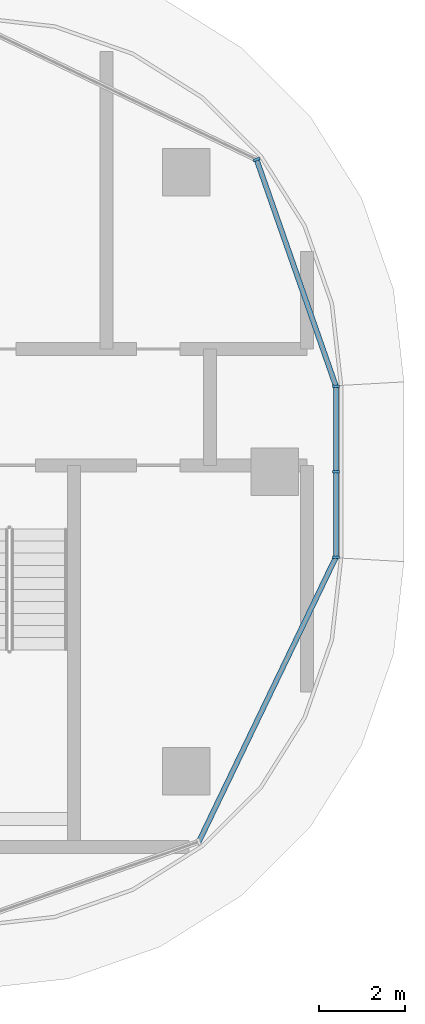
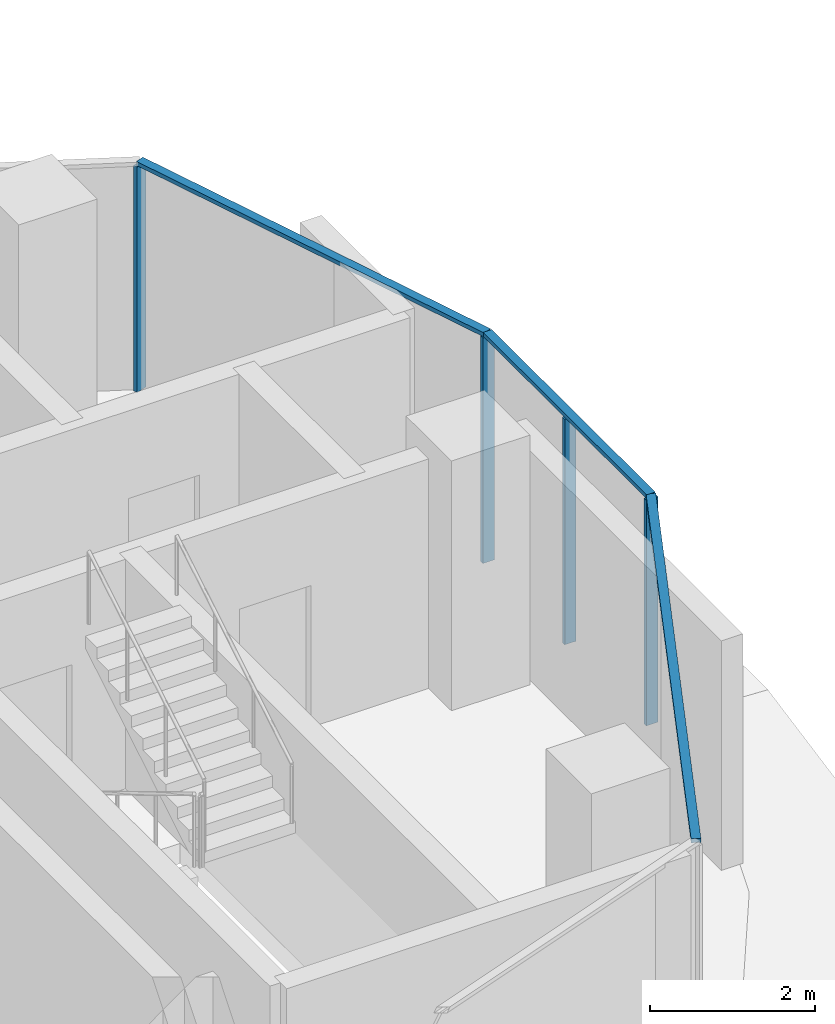
# One storey, part 7 of 24: 7 members, 3 elements without a shape of their own.
"""IFC4 building model written with IfcOpenShell, lengths in metres."""

from ifc_helpers import new_model, si_unit, direction, frame, origin, origin_2d, place, context, subcontext, project, spatial, rectangle, extrude, material, material_profile, profile_set, type_object, element, aggregate, save


model = new_model("IFC4")

# Units and contexts
model_context = context("Model", 3, precision=1e-05, world=origin(), true_north=direction((0.0, 1.0)))
body_context = subcontext(model_context, "Body", "Model", "MODEL_VIEW")
ifc_project = project(units=[si_unit("LENGTHUNIT", "METRE"), si_unit("AREAUNIT", "SQUARE_METRE"), si_unit("VOLUMEUNIT", "CUBIC_METRE"), si_unit("PLANEANGLEUNIT", "RADIAN"), si_unit("MASSUNIT", "GRAM", prefix="KILO")], contexts=[model_context])

# Site, building, storey
site_placement = place(None, origin())
site = spatial("IfcSite", under=ifc_project, at=site_placement, CompositionType="ELEMENT")
building_placement = place(site_placement, origin())
building = spatial("IfcBuilding", under=site, at=building_placement, Name="Ogive Portal Towers", CompositionType="ELEMENT")
storey_placement = place(building_placement, frame((0.0, 0.0, 142.199951171875)))
storey = spatial("IfcBuildingStorey", under=building, at=storey_placement, Name="L34", CompositionType="ELEMENT", Elevation=142.199951171875)

# Curtain wall, members
ifc_material_1 = material(Name="Glass, clear low-iron insulated glazing", Category="glass")
curtain_wall_type = type_object("IfcCurtainWallType", Name="CW FRONT RIBBON 4500", PredefinedType="NOTDEFINED", material=ifc_material_1)
curtain_wall_1_placement = place(storey_placement, origin())
curtain_wall_1 = element("IfcCurtainWall", 1, at=curtain_wall_1_placement, inside=storey, type_object=curtain_wall_type, Name="A:L34:f09:cw0", PredefinedType="NOTDEFINED")
ifc_material_2 = material(Name="Aluminium 6063 anodised", Category="aluminium")
ifc_material_profile_1 = material_profile(ifc_material_2, rectangle(XDim=0.159912109375, YDim=0.06005859375, at=origin_2d()), Name="AL 60x160")
ifc_profile_set_1 = profile_set([ifc_material_profile_1], Name="Aluminium 6063 anodised")
member_type_1 = type_object("IfcMemberType", Name="CW MULLION 60x160", PredefinedType="MULLION", material=ifc_profile_set_1)
member_1_placement = place(storey_placement, frame((95.919921875, 28.518310546875, 0.0), z_axis=(0.0, 0.0, 1.0), x_axis=(-1.0, 0.0, 0.0)))
member_1 = element("IfcMember", 2, at=member_1_placement, type_object=member_type_1, Name="mullion", PredefinedType="MULLION", context=body_context, shape_type="SweptSolid", body=[
    extrude(rectangle(XDim=0.159912109375, YDim=0.06005859375, at=origin_2d()), origin(), (0.0, 0.0, 1.0), 3.340087890625),
])
member_2_placement = place(storey_placement, frame((95.919921875, 30.5, 0.0), z_axis=(0.0, 0.0, 1.0), x_axis=(-1.0, 0.0, 0.0)))
member_2 = element("IfcMember", 3, at=member_2_placement, type_object=member_type_1, Name="mullion", PredefinedType="MULLION", context=body_context, shape_type="SweptSolid", body=[
    extrude(rectangle(XDim=0.159912109375, YDim=0.06005859375, at=origin_2d()), origin(), (0.0, 0.0, 1.0), 3.340087890625),
])
member_3_placement = place(storey_placement, frame((95.919921875, 32.486328125, 0.0), z_axis=(0.0, 0.0, 1.0), x_axis=(-1.0, 0.0, 0.0)))
member_3 = element("IfcMember", 4, at=member_3_placement, type_object=member_type_1, Name="mullion", PredefinedType="MULLION", context=body_context, shape_type="SweptSolid", body=[
    extrude(rectangle(XDim=0.159912109375, YDim=0.06005859375, at=origin_2d()), origin(), (0.0, 0.0, 1.0), 3.340087890625),
])

# Curtain wall, member
curtain_wall_2_placement = place(storey_placement, origin())
curtain_wall_2 = element("IfcCurtainWall", 5, at=curtain_wall_2_placement, inside=storey, type_object=curtain_wall_type, Name="A:L34:f10:cwa", PredefinedType="NOTDEFINED")
member_4_placement = place(storey_placement, frame((94.0810546875, 37.741943359375, 0.0), z_axis=(0.0, 0.0, 1.0), x_axis=(-0.943883330307, -0.33027906196, 0.0)))
member_4 = element("IfcMember", 6, at=member_4_placement, type_object=member_type_1, Name="mullion", PredefinedType="MULLION", context=body_context, shape_type="SweptSolid", body=[
    extrude(rectangle(XDim=0.159912109375, YDim=0.06005859375, at=origin_2d()), origin(), (0.0, 0.0, 1.0), 3.340087890625),
])

# Member
ifc_material_profile_2 = material_profile(ifc_material_2, rectangle(XDim=0.1201171875, YDim=0.06005859375, at=origin_2d()), Name="AL 120x60")
ifc_profile_set_2 = profile_set([ifc_material_profile_2], Name="Aluminium 6063 anodised")
member_type_2 = type_object("IfcMemberType", Name="CW TRANSOM 60x120", PredefinedType="USERDEFINED", material=ifc_profile_set_2)
member_5_placement = place(storey_placement, frame((95.919921875, 28.518310546875, 3.3701171875), z_axis=(0.0, 1.0, 0.0), x_axis=(-1.0, 0.0, 0.0)))
member_5 = element("IfcMember", 7, at=member_5_placement, type_object=member_type_2, Name="transom", ObjectType="TRANSOM", PredefinedType="USERDEFINED", context=body_context, shape_type="SweptSolid", body=[
    extrude(rectangle(XDim=0.1201171875, YDim=0.06005859375, at=origin_2d()), origin(), (0.0, 0.0, 1.0), 3.968017578125),
])

aggregate(curtain_wall_1, [member_5, member_1, member_2, member_3])

# Curtain wall, member
curtain_wall_3_placement = place(storey_placement, origin())
curtain_wall_3 = element("IfcCurtainWall", 8, at=curtain_wall_3_placement, inside=storey, type_object=curtain_wall_type, Name="A:L34:f07:cwa", PredefinedType="NOTDEFINED")
member_6_placement = place(storey_placement, frame((92.741943359375, 21.9189453125, 3.3701171875), z_axis=(0.433871738997, 0.900974646757, 0.0), x_axis=(-0.900974646757, 0.433871738997, 0.0)))
member_6 = element("IfcMember", 9, at=member_6_placement, type_object=member_type_2, Name="transom", ObjectType="TRANSOM", PredefinedType="USERDEFINED", context=body_context, shape_type="SweptSolid", body=[
    extrude(rectangle(XDim=0.1201171875, YDim=0.06005859375, at=origin_2d()), origin(), (0.0, 0.0, 1.0), 7.32470703125),
])
aggregate(curtain_wall_3, [member_6])

# Member
member_7_placement = place(storey_placement, frame((95.919921875, 32.486328125, 3.3701171875), z_axis=(-0.330254721593, 0.943891847017, 0.0), x_axis=(-0.943891847017, -0.330254721593, 0.0)))
member_7 = element("IfcMember", 10, at=member_7_placement, type_object=member_type_2, Name="transom", ObjectType="TRANSOM", PredefinedType="USERDEFINED", context=body_context, shape_type="SweptSolid", body=[
    extrude(rectangle(XDim=0.1201171875, YDim=0.06005859375, at=origin_2d()), origin(), (0.0, 0.0, 1.0), 5.568115234375),
])

aggregate(curtain_wall_2, [member_7, member_4])

save(model, "model.ifc")
